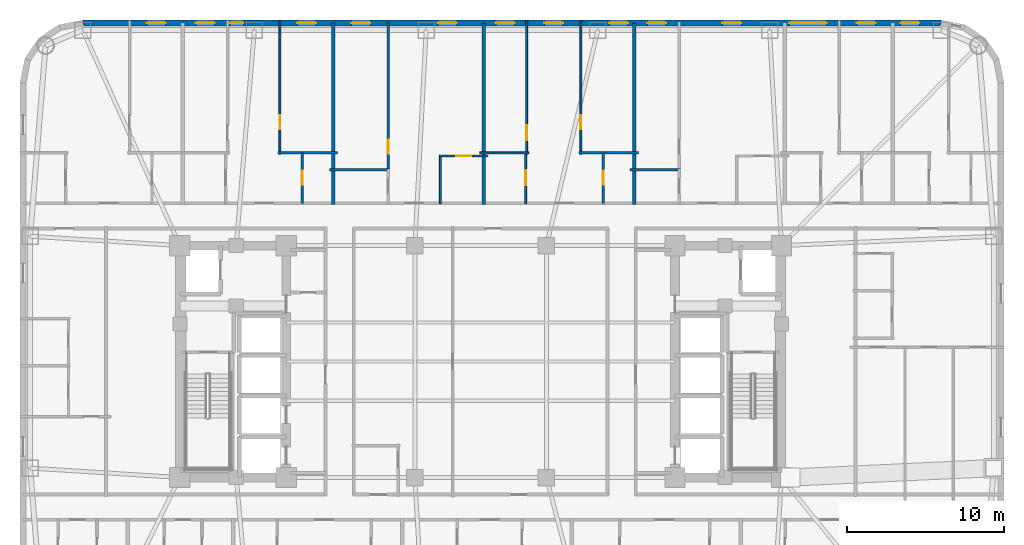
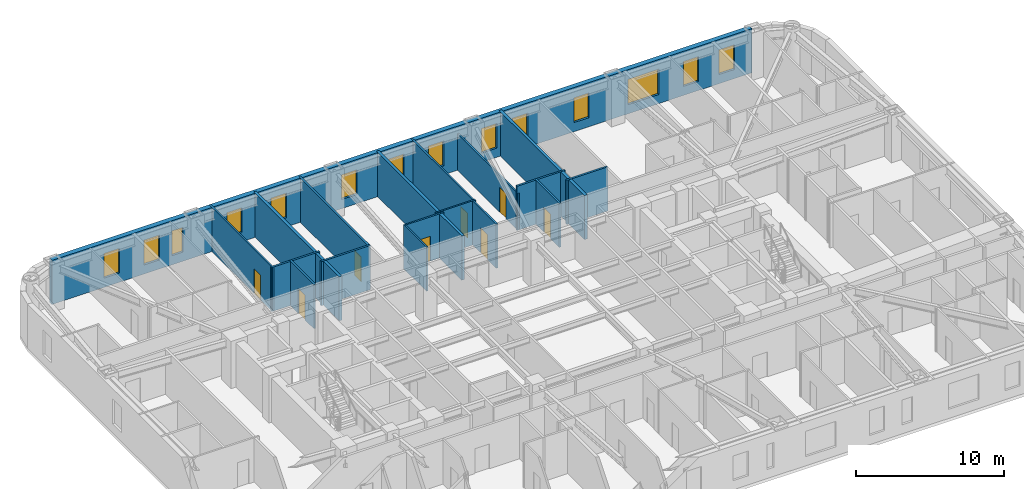
# One storey, part 8 of 11: 18 walls, 14 windows, 8 doors, 22 openings.
"""IFC4 building model written with IfcOpenShell, lengths in metres."""

from ifc_helpers import new_model, si_unit, direction, frame, frame_2d, origin, place, context, subcontext, project, spatial, rectangle, extrude, material, layer, layer_set, type_object, element, fill, save


model = new_model("IFC4")

# Units and contexts
model_context = context("Model", 3, precision=1e-05, world=origin(), true_north=direction((0.0, 1.0)))
body_context = subcontext(model_context, "Body", "Model", "MODEL_VIEW")
ifc_project = project(units=[si_unit("LENGTHUNIT", "METRE"), si_unit("AREAUNIT", "SQUARE_METRE"), si_unit("VOLUMEUNIT", "CUBIC_METRE"), si_unit("PLANEANGLEUNIT", "RADIAN"), si_unit("MASSUNIT", "GRAM", prefix="KILO")], contexts=[model_context])

# Site, building, storey
site_placement = place(None, origin())
site = spatial("IfcSite", under=ifc_project, at=site_placement, CompositionType="ELEMENT")
building_placement = place(site_placement, origin())
building = spatial("IfcBuilding", under=site, at=building_placement, Name="Voryun Gate Residences", CompositionType="ELEMENT")
storey_placement = place(building_placement, frame((0.0, 0.0, 105.300048828125)))
storey = spatial("IfcBuildingStorey", under=building, at=storey_placement, Name="L25", CompositionType="ELEMENT", Elevation=105.300048828125)

# Wall, openings, windows
ifc_material_1 = material(Name="Granite masonry", Category="masonry")
ifc_layer_1 = layer(ifc_material_1, 0.3798828125, Name="W_EXT_GRANITE_380")
ifc_layer_set_1 = layer_set([ifc_layer_1], Name="Granite masonry")
wall_type_1 = type_object("IfcWallType", Name="W_EXT_GRANITE_380", PredefinedType="ELEMENTEDWALL", material=ifc_layer_set_1)
wall_1_placement = place(storey_placement, frame((-25.38134765625, 21.610107421875, 0.0), z_axis=(0.0, 0.0, 1.0), x_axis=(1.0, 0.0, 0.0)))
wall_1 = element("IfcWall", 1, at=wall_1_placement, inside=storey, type_object=wall_type_1, Name="Exterior wall WEXT-L25-11", PredefinedType="ELEMENTEDWALL", context=body_context, shape_type="SweptSolid", body=[
    extrude(rectangle(XDim=54.7626953125, YDim=0.3798828125, at=frame_2d((27.38134765625, 0.0))), origin(), (0.0, 0.0, 1.0), 3.64990234375),
])
opening_1_placement = place(wall_1_placement, frame((45.0673828125, 0.0, 0.75)))
opening_1 = element("IfcOpeningElement", 2, at=opening_1_placement, cuts=wall_1, Name="Opening WN2", PredefinedType="OPENING", context=body_context, shape_type="SweptSolid", body=[
    extrude(rectangle(XDim=2.39990234375, YDim=2.10009765625, at=frame_2d((1.199951171875, 1.050048828125))), frame((0.0, 0.199951171875, 0.0), z_axis=(0.0, -1.0, 0.0), x_axis=(1.0, 0.0, 0.0)), (0.0, 0.0, 1.0), 0.39990234375),
])
opening_2_placement = place(wall_1_placement, frame((4.076416015625, 0.0, 0.75)))
opening_2 = element("IfcOpeningElement", 3, at=opening_2_placement, cuts=wall_1, Name="Opening WN6", PredefinedType="OPENING", context=body_context, shape_type="SweptSolid", body=[
    extrude(rectangle(XDim=1.199951171875, YDim=2.050048828125, at=frame_2d((0.60009765625, 1.02490234375))), frame((0.0, 0.199951171875, 0.0), z_axis=(0.0, -1.0, 0.0), x_axis=(1.0, 0.0, 0.0)), (0.0, 0.0, 1.0), 0.39990234375),
])
opening_3_placement = place(wall_1_placement, frame((9.394775390625, 0.0, 0.75)))
opening_3 = element("IfcOpeningElement", 4, at=opening_3_placement, cuts=wall_1, Name="Opening WN9", PredefinedType="OPENING", context=body_context, shape_type="SweptSolid", body=[
    extrude(rectangle(XDim=0.85009765625, YDim=2.050048828125, at=frame_2d((0.425048828125, 1.02490234375))), frame((0.0, 0.199951171875, 0.0), z_axis=(0.0, -1.0, 0.0), x_axis=(1.0, 0.0, 0.0)), (0.0, 0.0, 1.0), 0.39990234375),
])
opening_4_placement = place(wall_1_placement, frame((7.204833984375, 0.0, 0.75)))
opening_4 = element("IfcOpeningElement", 5, at=opening_4_placement, cuts=wall_1, Name="Opening WN6", PredefinedType="OPENING", context=body_context, shape_type="SweptSolid", body=[
    extrude(rectangle(XDim=1.199951171875, YDim=2.050048828125, at=frame_2d((0.60009765625, 1.02490234375))), frame((0.0, 0.199951171875, 0.0), z_axis=(0.0, -1.0, 0.0), x_axis=(1.0, 0.0, 0.0)), (0.0, 0.0, 1.0), 0.39990234375),
])
opening_5_placement = place(wall_1_placement, frame((13.67626953125, 0.0, 0.75)))
opening_5 = element("IfcOpeningElement", 6, at=opening_5_placement, cuts=wall_1, Name="Opening WN6", PredefinedType="OPENING", context=body_context, shape_type="SweptSolid", body=[
    extrude(rectangle(XDim=1.199951171875, YDim=2.050048828125, at=frame_2d((0.60009765625, 1.02490234375))), frame((0.0, 0.199951171875, 0.0), z_axis=(0.0, -1.0, 0.0), x_axis=(1.0, 0.0, 0.0)), (0.0, 0.0, 1.0), 0.39990234375),
])
opening_6_placement = place(wall_1_placement, frame((17.13623046875, 0.0, 0.75)))
opening_6 = element("IfcOpeningElement", 7, at=opening_6_placement, cuts=wall_1, Name="Opening WN6", PredefinedType="OPENING", context=body_context, shape_type="SweptSolid", body=[
    extrude(rectangle(XDim=1.199951171875, YDim=2.050048828125, at=frame_2d((0.60009765625, 1.02490234375))), frame((0.0, 0.199951171875, 0.0), z_axis=(0.0, -1.0, 0.0), x_axis=(1.0, 0.0, 0.0)), (0.0, 0.0, 1.0), 0.39990234375),
])
opening_7_placement = place(wall_1_placement, frame((22.65625, 0.0, 0.75)))
opening_7 = element("IfcOpeningElement", 8, at=opening_7_placement, cuts=wall_1, Name="Opening WN6", PredefinedType="OPENING", context=body_context, shape_type="SweptSolid", body=[
    extrude(rectangle(XDim=1.199951171875, YDim=2.050048828125, at=frame_2d((0.60009765625, 1.02490234375))), frame((0.0, 0.199951171875, 0.0), z_axis=(0.0, -1.0, 0.0), x_axis=(1.0, 0.0, 0.0)), (0.0, 0.0, 1.0), 0.39990234375),
])
opening_8_placement = place(wall_1_placement, frame((29.44287109375, 0.0, 0.75)))
opening_8 = element("IfcOpeningElement", 9, at=opening_8_placement, cuts=wall_1, Name="Opening WN6", PredefinedType="OPENING", context=body_context, shape_type="SweptSolid", body=[
    extrude(rectangle(XDim=1.199951171875, YDim=2.050048828125, at=frame_2d((0.60009765625, 1.02490234375))), frame((0.0, 0.199951171875, 0.0), z_axis=(0.0, -1.0, 0.0), x_axis=(1.0, 0.0, 0.0)), (0.0, 0.0, 1.0), 0.39990234375),
])
opening_9_placement = place(wall_1_placement, frame((26.347900390625, 0.0, 0.75)))
opening_9 = element("IfcOpeningElement", 10, at=opening_9_placement, cuts=wall_1, Name="Opening WN6", PredefinedType="OPENING", context=body_context, shape_type="SweptSolid", body=[
    extrude(rectangle(XDim=1.199951171875, YDim=2.050048828125, at=frame_2d((0.60009765625, 1.02490234375))), frame((0.0, 0.199951171875, 0.0), z_axis=(0.0, -1.0, 0.0), x_axis=(1.0, 0.0, 0.0)), (0.0, 0.0, 1.0), 0.39990234375),
])
opening_10_placement = place(wall_1_placement, frame((33.59619140625, 0.0, 0.75)))
opening_10 = element("IfcOpeningElement", 11, at=opening_10_placement, cuts=wall_1, Name="Opening WN6", PredefinedType="OPENING", context=body_context, shape_type="SweptSolid", body=[
    extrude(rectangle(XDim=1.199951171875, YDim=2.050048828125, at=frame_2d((0.60009765625, 1.02490234375))), frame((0.0, 0.199951171875, 0.0), z_axis=(0.0, -1.0, 0.0), x_axis=(1.0, 0.0, 0.0)), (0.0, 0.0, 1.0), 0.39990234375),
])
opening_11_placement = place(wall_1_placement, frame((36.014404296875, 0.0, 0.75)))
opening_11 = element("IfcOpeningElement", 12, at=opening_11_placement, cuts=wall_1, Name="Opening WN6", PredefinedType="OPENING", context=body_context, shape_type="SweptSolid", body=[
    extrude(rectangle(XDim=1.199951171875, YDim=2.050048828125, at=frame_2d((0.60009765625, 1.02490234375))), frame((0.0, 0.199951171875, 0.0), z_axis=(0.0, -1.0, 0.0), x_axis=(1.0, 0.0, 0.0)), (0.0, 0.0, 1.0), 0.39990234375),
])
opening_12_placement = place(wall_1_placement, frame((40.814208984375, 0.0, 0.75)))
opening_12 = element("IfcOpeningElement", 13, at=opening_12_placement, cuts=wall_1, Name="Opening WN6", PredefinedType="OPENING", context=body_context, shape_type="SweptSolid", body=[
    extrude(rectangle(XDim=1.199951171875, YDim=2.050048828125, at=frame_2d((0.60009765625, 1.02490234375))), frame((0.0, 0.199951171875, 0.0), z_axis=(0.0, -1.0, 0.0), x_axis=(1.0, 0.0, 0.0)), (0.0, 0.0, 1.0), 0.39990234375),
])
opening_13_placement = place(wall_1_placement, frame((49.38525390625, 0.0, 0.75)))
opening_13 = element("IfcOpeningElement", 14, at=opening_13_placement, cuts=wall_1, Name="Opening WN6", PredefinedType="OPENING", context=body_context, shape_type="SweptSolid", body=[
    extrude(rectangle(XDim=1.199951171875, YDim=2.050048828125, at=frame_2d((0.60009765625, 1.02490234375))), frame((0.0, 0.199951171875, 0.0), z_axis=(0.0, -1.0, 0.0), x_axis=(1.0, 0.0, 0.0)), (0.0, 0.0, 1.0), 0.39990234375),
])
opening_14_placement = place(wall_1_placement, frame((52.181396484375, 0.0, 0.75)))
opening_14 = element("IfcOpeningElement", 15, at=opening_14_placement, cuts=wall_1, Name="Opening WN6", PredefinedType="OPENING", context=body_context, shape_type="SweptSolid", body=[
    extrude(rectangle(XDim=1.199951171875, YDim=2.050048828125, at=frame_2d((0.60009765625, 1.02490234375))), frame((0.0, 0.199951171875, 0.0), z_axis=(0.0, -1.0, 0.0), x_axis=(1.0, 0.0, 0.0)), (0.0, 0.0, 1.0), 0.39990234375),
])
ifc_material_2 = material(Name="Laminated low-E glass", Category="glass")
window_type_1 = type_object("IfcWindowType", Name="WN_POD_SLOT_1200", PartitioningType="SINGLE_PANEL", PredefinedType="WINDOW", material=ifc_material_2)
window_1_placement = place(opening_2_placement, origin())
window_1 = element("IfcWindow", 16, at=window_1_placement, inside=storey, type_object=window_type_1, Name="Window WN-L25-DWFIX-02", OverallHeight=2.050048828125, OverallWidth=1.199951171875, PartitioningType="SINGLE_PANEL", PredefinedType="WINDOW", context=body_context, shape_type="SweptSolid", body=[
    extrude(rectangle(XDim=1.199951171875, YDim=2.050048828125, at=frame_2d((0.60009765625, 1.02490234375))), frame((0.0, 0.030029296875, 0.0), z_axis=(0.0, -1.0, 0.0), x_axis=(1.0, 0.0, 0.0)), (0.0, 0.0, 1.0), 0.06005859375),
])
fill(opening_2, window_1)
window_2_placement = place(opening_4_placement, origin())
window_2 = element("IfcWindow", 17, at=window_2_placement, inside=storey, type_object=window_type_1, Name="Window WN-L25-DWFIX-04", OverallHeight=2.050048828125, OverallWidth=1.199951171875, PartitioningType="SINGLE_PANEL", PredefinedType="WINDOW", context=body_context, shape_type="SweptSolid", body=[
    extrude(rectangle(XDim=1.199951171875, YDim=2.050048828125, at=frame_2d((0.60009765625, 1.02490234375))), frame((0.0, 0.030029296875, 0.0), z_axis=(0.0, -1.0, 0.0), x_axis=(1.0, 0.0, 0.0)), (0.0, 0.0, 1.0), 0.06005859375),
])
fill(opening_4, window_2)
window_3_placement = place(opening_5_placement, origin())
window_3 = element("IfcWindow", 18, at=window_3_placement, inside=storey, type_object=window_type_1, Name="Window WN-L25-DWFIX-05", OverallHeight=2.050048828125, OverallWidth=1.199951171875, PartitioningType="SINGLE_PANEL", PredefinedType="WINDOW", context=body_context, shape_type="SweptSolid", body=[
    extrude(rectangle(XDim=1.199951171875, YDim=2.050048828125, at=frame_2d((0.60009765625, 1.02490234375))), frame((0.0, 0.030029296875, 0.0), z_axis=(0.0, -1.0, 0.0), x_axis=(1.0, 0.0, 0.0)), (0.0, 0.0, 1.0), 0.06005859375),
])
fill(opening_5, window_3)
window_4_placement = place(opening_6_placement, origin())
window_4 = element("IfcWindow", 19, at=window_4_placement, inside=storey, type_object=window_type_1, Name="Window WN-L25-DWFIX-06", OverallHeight=2.050048828125, OverallWidth=1.199951171875, PartitioningType="SINGLE_PANEL", PredefinedType="WINDOW", context=body_context, shape_type="SweptSolid", body=[
    extrude(rectangle(XDim=1.199951171875, YDim=2.050048828125, at=frame_2d((0.60009765625, 1.02490234375))), frame((0.0, 0.030029296875, 0.0), z_axis=(0.0, -1.0, 0.0), x_axis=(1.0, 0.0, 0.0)), (0.0, 0.0, 1.0), 0.06005859375),
])
fill(opening_6, window_4)
window_5_placement = place(opening_7_placement, origin())
window_5 = element("IfcWindow", 20, at=window_5_placement, inside=storey, type_object=window_type_1, Name="Window WN-L25-DWFIX-07", OverallHeight=2.050048828125, OverallWidth=1.199951171875, PartitioningType="SINGLE_PANEL", PredefinedType="WINDOW", context=body_context, shape_type="SweptSolid", body=[
    extrude(rectangle(XDim=1.199951171875, YDim=2.050048828125, at=frame_2d((0.60009765625, 1.02490234375))), frame((0.0, 0.030029296875, 0.0), z_axis=(0.0, -1.0, 0.0), x_axis=(1.0, 0.0, 0.0)), (0.0, 0.0, 1.0), 0.06005859375),
])
fill(opening_7, window_5)
window_6_placement = place(opening_8_placement, origin())
window_6 = element("IfcWindow", 21, at=window_6_placement, inside=storey, type_object=window_type_1, Name="Window WN-L25-DWFIX-08", OverallHeight=2.050048828125, OverallWidth=1.199951171875, PartitioningType="SINGLE_PANEL", PredefinedType="WINDOW", context=body_context, shape_type="SweptSolid", body=[
    extrude(rectangle(XDim=1.199951171875, YDim=2.050048828125, at=frame_2d((0.60009765625, 1.02490234375))), frame((0.0, 0.030029296875, 0.0), z_axis=(0.0, -1.0, 0.0), x_axis=(1.0, 0.0, 0.0)), (0.0, 0.0, 1.0), 0.06005859375),
])
fill(opening_8, window_6)
window_7_placement = place(opening_9_placement, origin())
window_7 = element("IfcWindow", 22, at=window_7_placement, inside=storey, type_object=window_type_1, Name="Window WN-L25-DWFIX-09", OverallHeight=2.050048828125, OverallWidth=1.199951171875, PartitioningType="SINGLE_PANEL", PredefinedType="WINDOW", context=body_context, shape_type="SweptSolid", body=[
    extrude(rectangle(XDim=1.199951171875, YDim=2.050048828125, at=frame_2d((0.60009765625, 1.02490234375))), frame((0.0, 0.030029296875, 0.0), z_axis=(0.0, -1.0, 0.0), x_axis=(1.0, 0.0, 0.0)), (0.0, 0.0, 1.0), 0.06005859375),
])
fill(opening_9, window_7)
window_8_placement = place(opening_10_placement, origin())
window_8 = element("IfcWindow", 23, at=window_8_placement, inside=storey, type_object=window_type_1, Name="Window WN-L25-DWFIX-10", OverallHeight=2.050048828125, OverallWidth=1.199951171875, PartitioningType="SINGLE_PANEL", PredefinedType="WINDOW", context=body_context, shape_type="SweptSolid", body=[
    extrude(rectangle(XDim=1.199951171875, YDim=2.050048828125, at=frame_2d((0.60009765625, 1.02490234375))), frame((0.0, 0.030029296875, 0.0), z_axis=(0.0, -1.0, 0.0), x_axis=(1.0, 0.0, 0.0)), (0.0, 0.0, 1.0), 0.06005859375),
])
fill(opening_10, window_8)
window_9_placement = place(opening_11_placement, origin())
window_9 = element("IfcWindow", 24, at=window_9_placement, inside=storey, type_object=window_type_1, Name="Window WN-L25-DWFIX-11", OverallHeight=2.050048828125, OverallWidth=1.199951171875, PartitioningType="SINGLE_PANEL", PredefinedType="WINDOW", context=body_context, shape_type="SweptSolid", body=[
    extrude(rectangle(XDim=1.199951171875, YDim=2.050048828125, at=frame_2d((0.60009765625, 1.02490234375))), frame((0.0, 0.030029296875, 0.0), z_axis=(0.0, -1.0, 0.0), x_axis=(1.0, 0.0, 0.0)), (0.0, 0.0, 1.0), 0.06005859375),
])
fill(opening_11, window_9)
window_10_placement = place(opening_12_placement, origin())
window_10 = element("IfcWindow", 25, at=window_10_placement, inside=storey, type_object=window_type_1, Name="Window WN-L25-DWFIX-12", OverallHeight=2.050048828125, OverallWidth=1.199951171875, PartitioningType="SINGLE_PANEL", PredefinedType="WINDOW", context=body_context, shape_type="SweptSolid", body=[
    extrude(rectangle(XDim=1.199951171875, YDim=2.050048828125, at=frame_2d((0.60009765625, 1.02490234375))), frame((0.0, 0.030029296875, 0.0), z_axis=(0.0, -1.0, 0.0), x_axis=(1.0, 0.0, 0.0)), (0.0, 0.0, 1.0), 0.06005859375),
])
fill(opening_12, window_10)
window_11_placement = place(opening_13_placement, origin())
window_11 = element("IfcWindow", 26, at=window_11_placement, inside=storey, type_object=window_type_1, Name="Window WN-L25-DWFIX-13", OverallHeight=2.050048828125, OverallWidth=1.199951171875, PartitioningType="SINGLE_PANEL", PredefinedType="WINDOW", context=body_context, shape_type="SweptSolid", body=[
    extrude(rectangle(XDim=1.199951171875, YDim=2.050048828125, at=frame_2d((0.60009765625, 1.02490234375))), frame((0.0, 0.030029296875, 0.0), z_axis=(0.0, -1.0, 0.0), x_axis=(1.0, 0.0, 0.0)), (0.0, 0.0, 1.0), 0.06005859375),
])
fill(opening_13, window_11)
window_12_placement = place(opening_14_placement, origin())
window_12 = element("IfcWindow", 27, at=window_12_placement, inside=storey, type_object=window_type_1, Name="Window WN-L25-DWFIX-14", OverallHeight=2.050048828125, OverallWidth=1.199951171875, PartitioningType="SINGLE_PANEL", PredefinedType="WINDOW", context=body_context, shape_type="SweptSolid", body=[
    extrude(rectangle(XDim=1.199951171875, YDim=2.050048828125, at=frame_2d((0.60009765625, 1.02490234375))), frame((0.0, 0.030029296875, 0.0), z_axis=(0.0, -1.0, 0.0), x_axis=(1.0, 0.0, 0.0)), (0.0, 0.0, 1.0), 0.06005859375),
])
fill(opening_14, window_12)
ifc_material_3 = material(Name="Laminated low-E glass", Category="glass")
window_type_2 = type_object("IfcWindowType", Name="WN_RES_CASEMENT_850", PartitioningType="SINGLE_PANEL", PredefinedType="WINDOW", material=ifc_material_3)
window_13_placement = place(opening_3_placement, origin())
window_13 = element("IfcWindow", 28, at=window_13_placement, inside=storey, type_object=window_type_2, Name="Window WN-L25-DWFIX-03", OverallHeight=2.050048828125, OverallWidth=0.85009765625, PartitioningType="SINGLE_PANEL", PredefinedType="WINDOW", context=body_context, shape_type="SweptSolid", body=[
    extrude(rectangle(XDim=0.85009765625, YDim=2.050048828125, at=frame_2d((0.425048828125, 1.02490234375))), frame((0.0, 0.030029296875, 0.0), z_axis=(0.0, -1.0, 0.0), x_axis=(1.0, 0.0, 0.0)), (0.0, 0.0, 1.0), 0.06005859375),
])
fill(opening_3, window_13)
ifc_material_4 = material(Name="Laminated low-E glass", Category="glass")
window_type_3 = type_object("IfcWindowType", Name="WN_RES_WIDE_2400", PartitioningType="SINGLE_PANEL", PredefinedType="WINDOW", material=ifc_material_4)
window_14_placement = place(opening_1_placement, origin())
window_14 = element("IfcWindow", 29, at=window_14_placement, inside=storey, type_object=window_type_3, Name="Window WN-WEXT-L25-11-04", OverallHeight=2.10009765625, OverallWidth=2.39990234375, PartitioningType="SINGLE_PANEL", PredefinedType="WINDOW", context=body_context, shape_type="SweptSolid", body=[
    extrude(rectangle(XDim=2.39990234375, YDim=2.10009765625, at=frame_2d((1.199951171875, 1.050048828125))), frame((0.0, 0.030029296875, 0.0), z_axis=(0.0, -1.0, 0.0), x_axis=(1.0, 0.0, 0.0)), (0.0, 0.0, 1.0), 0.06005859375),
])
fill(opening_1, window_14)

# Walls
ifc_material_5 = material(Name="Concrete C40/50", Category="concrete")
ifc_layer_2 = layer(ifc_material_5, 0.219970703125, Name="W_PARTY_ACOUSTIC_220")
ifc_layer_set_2 = layer_set([ifc_layer_2], Name="Concrete C40/50")
wall_type_2 = type_object("IfcWallType", Name="W_PARTY_ACOUSTIC_220", PredefinedType="PARTITIONING", material=ifc_layer_set_2)
for number, where, z_axis, x_axis, name in (
    (30, (-9.39990234375, 10.02001953125, 0.0), (0.0, 0.0, 1.0), (0.0, 1.0, 0.0), "Partition wall WP-L25-NPTY-2"),
    (31, (0.199951171875, 10.02001953125, 0.0), (0.0, 0.0, 1.0), (0.0, 1.0, 0.0), "Partition wall WP-L25-NPTY-3"),
    (32, (9.800048828125, 10.02001953125, 0.0), (0.0, 0.0, 1.0), (0.0, 1.0, 0.0), "Partition wall WP-L25-NPTY-4"),
):
    element("IfcWall", number, at=place(storey_placement, frame(where, z_axis=z_axis, x_axis=x_axis)), inside=storey, type_object=wall_type_2, Name=name, PredefinedType="PARTITIONING", context=body_context, shape_type="SweptSolid", body=[
        extrude(rectangle(XDim=11.590087890625, YDim=0.219970703125, at=frame_2d((5.794921875, 0.0))), origin(), (0.0, 0.0, 1.0), 3.64990234375),
    ])

# Wall, opening, door
ifc_material_6 = material(Name="Gypsum acoustic partition")
ifc_layer_3 = layer(ifc_material_6, 0.125, Name="W_UNIT_PART_125")
ifc_layer_set_3 = layer_set([ifc_layer_3], Name="Gypsum acoustic partition")
wall_type_3 = type_object("IfcWallType", Name="W_UNIT_PART_125", PredefinedType="PARTITIONING", material=ifc_layer_set_3)
wall_2_placement = place(storey_placement, frame((-12.81005859375, 13.239990234375, 0.0), z_axis=(0.0, 0.0, 1.0), x_axis=(0.0, 1.0, 0.0)))
wall_2 = element("IfcWall", 33, at=wall_2_placement, inside=storey, type_object=wall_type_3, Name="Partition wall WP-L25-N2-OVR", PredefinedType="PARTITIONING", context=body_context, shape_type="SweptSolid", body=[
    extrude(rectangle(XDim=8.52001953125, YDim=0.125, at=frame_2d((4.260009765625, 0.0))), origin(), (0.0, 0.0, 1.0), 3.64990234375),
])
opening_15_placement = place(wall_2_placement, frame((1.5947265625, 0.0, 0.0)))
opening_15 = element("IfcOpeningElement", 34, at=opening_15_placement, cuts=wall_2, Name="Opening D-INT-2", PredefinedType="OPENING", context=body_context, shape_type="SweptSolid", body=[
    extrude(rectangle(XDim=0.89990234375, YDim=2.050048828125, at=frame_2d((0.449951171875, 1.02490234375))), frame((0.0, 0.072509765625, 0.0), z_axis=(0.0, -1.0, 0.0), x_axis=(1.0, 0.0, 0.0)), (0.0, 0.0, 1.0), 0.14501953125),
])
ifc_material_7 = material(Name="Architectural oak veneer")
door_type_1 = type_object("IfcDoorType", Name="DR_INT_BATH_900", OperationType="NOTDEFINED", PredefinedType="DOOR", material=ifc_material_7)
door_1_placement = place(opening_15_placement, origin())
door_1 = element("IfcDoor", 35, at=door_1_placement, inside=storey, type_object=door_type_1, Name="Door DR-L25-N2-DMB", OperationType="SINGLE_SWING_RIGHT", OverallHeight=2.050048828125, OverallWidth=0.89990234375, PredefinedType="DOOR", context=body_context, shape_type="SweptSolid", body=[
    extrude(rectangle(XDim=0.89990234375, YDim=2.050048828125, at=frame_2d((0.449951171875, 1.02490234375))), frame((0.0, 0.02490234375, 0.0), z_axis=(0.0, -1.0, 0.0), x_axis=(1.0, 0.0, 0.0)), (0.0, 0.0, 1.0), 0.050048828125),
])
fill(opening_15, door_1)

wall_3_placement = place(storey_placement, frame((-2.633056640625, 13.1201171875, 0.0), z_axis=(0.0, 0.0, 1.0), x_axis=(1.0, 0.0, 0.0)))
wall_3 = element("IfcWall", 36, at=wall_3_placement, inside=storey, type_object=wall_type_3, Name="Partition wall WP-L25-N3-KHY", PredefinedType="PARTITIONING", context=body_context, shape_type="SweptSolid", body=[
    extrude(rectangle(XDim=3.093017578125, YDim=0.125, at=frame_2d((1.54638671875, 0.0))), origin(), (0.0, 0.0, 1.0), 3.64990234375),
])
opening_16_placement = place(wall_3_placement, frame((1.071533203125, 0.0, 0.0)))
opening_16 = element("IfcOpeningElement", 37, at=opening_16_placement, cuts=wall_3, Name="Opening D-INT-1", PredefinedType="OPENING", context=body_context, shape_type="SweptSolid", body=[
    extrude(rectangle(XDim=0.949951171875, YDim=2.050048828125, at=frame_2d((0.47509765625, 1.02490234375))), frame((0.0, 0.072509765625, 0.0), z_axis=(0.0, -1.0, 0.0), x_axis=(1.0, 0.0, 0.0)), (0.0, 0.0, 1.0), 0.14501953125),
])
ifc_material_8 = material(Name="Architectural oak veneer")
door_type_2 = type_object("IfcDoorType", Name="DR_INT_ROOM_950", OperationType="NOTDEFINED", PredefinedType="DOOR", material=ifc_material_8)
door_2_placement = place(opening_16_placement, origin())
door_2 = element("IfcDoor", 38, at=door_2_placement, inside=storey, type_object=door_type_2, Name="Door DR-L25-N3-DK", OperationType="SINGLE_SWING_LEFT", OverallHeight=2.050048828125, OverallWidth=0.949951171875, PredefinedType="DOOR", context=body_context, shape_type="SweptSolid", body=[
    extrude(rectangle(XDim=0.949951171875, YDim=2.050048828125, at=frame_2d((0.47509765625, 1.02490234375))), frame((0.0, 0.02490234375, 0.0), z_axis=(0.0, -1.0, 0.0), x_axis=(1.0, 0.0, 0.0)), (0.0, 0.0, 1.0), 0.050048828125),
])
fill(opening_16, door_2)

# Wall
wall_4_placement = place(storey_placement, frame((-2.572998046875, 10.080078125, 0.0), z_axis=(0.0, 0.0, 1.0), x_axis=(0.0, 1.0, 0.0)))
element("IfcWall", 39, at=wall_4_placement, inside=storey, type_object=wall_type_3, Name="Partition wall WP-L25-N3-KVX", PredefinedType="PARTITIONING", context=body_context, shape_type="SweptSolid", body=[
    extrude(rectangle(XDim=3.099853515625, YDim=0.125, at=frame_2d((1.5498046875, 0.0))), origin(), (0.0, 0.0, 1.0), 3.64990234375),
])

# Wall, opening, door
wall_5_placement = place(storey_placement, frame((2.93310546875, 13.239990234375, 0.0), z_axis=(0.0, 0.0, 1.0), x_axis=(0.0, 1.0, 0.0)))
wall_5 = element("IfcWall", 40, at=wall_5_placement, inside=storey, type_object=wall_type_3, Name="Partition wall WP-L25-N4-OVL", PredefinedType="PARTITIONING", context=body_context, shape_type="SweptSolid", body=[
    extrude(rectangle(XDim=8.52001953125, YDim=0.125, at=frame_2d((4.260009765625, 0.0))), origin(), (0.0, 0.0, 1.0), 3.64990234375),
])
opening_17_placement = place(wall_5_placement, frame((0.88818359375, 0.0, 0.0)))
opening_17 = element("IfcOpeningElement", 41, at=opening_17_placement, cuts=wall_5, Name="Opening D-INT-1", PredefinedType="OPENING", context=body_context, shape_type="SweptSolid", body=[
    extrude(rectangle(XDim=0.949951171875, YDim=2.050048828125, at=frame_2d((0.47509765625, 1.02490234375))), frame((0.0, 0.072509765625, 0.0), z_axis=(0.0, -1.0, 0.0), x_axis=(1.0, 0.0, 0.0)), (0.0, 0.0, 1.0), 0.14501953125),
])
door_3_placement = place(opening_17_placement, origin())
door_3 = element("IfcDoor", 42, at=door_3_placement, inside=storey, type_object=door_type_2, Name="Door DR-L25-N4-DB2", OperationType="SINGLE_SWING_LEFT", OverallHeight=2.050048828125, OverallWidth=0.949951171875, PredefinedType="DOOR", context=body_context, shape_type="SweptSolid", body=[
    extrude(rectangle(XDim=0.949951171875, YDim=2.050048828125, at=frame_2d((0.47509765625, 1.02490234375))), frame((0.0, 0.02490234375, 0.0), z_axis=(0.0, -1.0, 0.0), x_axis=(1.0, 0.0, 0.0)), (0.0, 0.0, 1.0), 0.050048828125),
])
fill(opening_17, door_3)

wall_6_placement = place(storey_placement, frame((6.389892578125, 13.239990234375, 0.0), z_axis=(0.0, 0.0, 1.0), x_axis=(0.0, 1.0, 0.0)))
wall_6 = element("IfcWall", 43, at=wall_6_placement, inside=storey, type_object=wall_type_3, Name="Partition wall WP-L25-N4-OVR", PredefinedType="PARTITIONING", context=body_context, shape_type="SweptSolid", body=[
    extrude(rectangle(XDim=8.52001953125, YDim=0.125, at=frame_2d((4.260009765625, 0.0))), origin(), (0.0, 0.0, 1.0), 3.0400390625),
])
opening_18_placement = place(wall_6_placement, frame((1.5947265625, 0.0, 0.0)))
opening_18 = element("IfcOpeningElement", 44, at=opening_18_placement, cuts=wall_6, Name="Opening D-INT-2", PredefinedType="OPENING", context=body_context, shape_type="SweptSolid", body=[
    extrude(rectangle(XDim=0.89990234375, YDim=2.050048828125, at=frame_2d((0.449951171875, 1.02490234375))), frame((0.0, 0.072509765625, 0.0), z_axis=(0.0, -1.0, 0.0), x_axis=(1.0, 0.0, 0.0)), (0.0, 0.0, 1.0), 0.14501953125),
])
door_4_placement = place(opening_18_placement, origin())
door_4 = element("IfcDoor", 45, at=door_4_placement, inside=storey, type_object=door_type_1, Name="Door DR-L25-N4-DMB", OperationType="SINGLE_SWING_RIGHT", OverallHeight=2.050048828125, OverallWidth=0.89990234375, PredefinedType="DOOR", context=body_context, shape_type="SweptSolid", body=[
    extrude(rectangle(XDim=0.89990234375, YDim=2.050048828125, at=frame_2d((0.449951171875, 1.02490234375))), frame((0.0, 0.02490234375, 0.0), z_axis=(0.0, -1.0, 0.0), x_axis=(1.0, 0.0, 0.0)), (0.0, 0.0, 1.0), 0.050048828125),
])
fill(opening_18, door_4)

wall_7_placement = place(storey_placement, frame((2.8759765625, 10.080078125, 0.0), z_axis=(0.0, 0.0, 1.0), x_axis=(0.0, 1.0, 0.0)))
wall_7 = element("IfcWall", 46, at=wall_7_placement, inside=storey, type_object=wall_type_3, Name="Partition wall WP-L25-N4-IVK", PredefinedType="PARTITIONING", context=body_context, shape_type="SweptSolid", body=[
    extrude(rectangle(XDim=3.31982421875, YDim=0.125, at=frame_2d((1.659912109375, 0.0))), origin(), (0.0, 0.0, 1.0), 3.64990234375),
])
opening_19_placement = place(wall_7_placement, frame((1.18505859375, 0.0, 0.0)))
opening_19 = element("IfcOpeningElement", 47, at=opening_19_placement, cuts=wall_7, Name="Opening D-INT-1", PredefinedType="OPENING", context=body_context, shape_type="SweptSolid", body=[
    extrude(rectangle(XDim=0.949951171875, YDim=2.050048828125, at=frame_2d((0.47509765625, 1.02490234375))), frame((0.0, 0.072509765625, 0.0), z_axis=(0.0, -1.0, 0.0), x_axis=(1.0, 0.0, 0.0)), (0.0, 0.0, 1.0), 0.14501953125),
])
door_5_placement = place(opening_19_placement, origin())
door_5 = element("IfcDoor", 48, at=door_5_placement, inside=storey, type_object=door_type_2, Name="Door DR-L25-N4-DK", OperationType="SINGLE_SWING_LEFT", OverallHeight=2.050048828125, OverallWidth=0.949951171875, PredefinedType="DOOR", context=body_context, shape_type="SweptSolid", body=[
    extrude(rectangle(XDim=0.949951171875, YDim=2.050048828125, at=frame_2d((0.47509765625, 1.02490234375))), frame((0.0, 0.02490234375, 0.0), z_axis=(0.0, -1.0, 0.0), x_axis=(1.0, 0.0, 0.0)), (0.0, 0.0, 1.0), 0.050048828125),
])
fill(opening_19, door_5)

# Walls
wall_8_placement = place(storey_placement, frame((-0.06005859375, 13.320068359375, 0.0), z_axis=(0.0, 0.0, 1.0), x_axis=(1.0, 0.0, 0.0)))
element("IfcWall", 49, at=wall_8_placement, inside=storey, type_object=wall_type_3, Name="Partition wall WP-L25-N4-HZK", PredefinedType="PARTITIONING", context=body_context, shape_type="SweptSolid", body=[
    extrude(rectangle(XDim=3.113037109375, YDim=0.125, at=frame_2d((1.556640625, 0.0))), origin(), (0.0, 0.0, 1.0), 3.64990234375),
])
ifc_material_9 = material(Name="Gypsum moisture-resistant partition")
ifc_layer_4 = layer(ifc_material_9, 0.14990234375, Name="W_WET_PLUMB_150")
ifc_layer_set_4 = layer_set([ifc_layer_4], Name="Gypsum moisture-resistant partition")
wall_type_4 = type_object("IfcWallType", Name="W_WET_PLUMB_150", PredefinedType="PLUMBINGWALL", material=ifc_layer_set_4)
wall_9_placement = place(storey_placement, frame((-12.929931640625, 13.320068359375, 0.0), z_axis=(0.0, 0.0, 1.0), x_axis=(1.0, 0.0, 0.0)))
element("IfcWall", 50, at=wall_9_placement, inside=storey, type_object=wall_type_4, Name="Partition wall WP-L25-N2-HZB", PredefinedType="PLUMBINGWALL", context=body_context, shape_type="SweptSolid", body=[
    extrude(rectangle(XDim=3.7900390625, YDim=0.14990234375, at=frame_2d((1.89501953125, 0.0))), origin(), (0.0, 0.0, 1.0), 3.64990234375),
])

# Wall, opening, door
wall_10_placement = place(storey_placement, frame((-11.3798828125, 10.080078125, 0.0), z_axis=(0.0, 0.0, 1.0), x_axis=(0.0, 1.0, 0.0)))
wall_10 = element("IfcWall", 51, at=wall_10_placement, inside=storey, type_object=wall_type_4, Name="Partition wall WP-L25-N2-IVB", PredefinedType="PLUMBINGWALL", context=body_context, shape_type="SweptSolid", body=[
    extrude(rectangle(XDim=3.31982421875, YDim=0.14990234375, at=frame_2d((1.659912109375, 0.0))), origin(), (0.0, 0.0, 1.0), 3.64990234375),
])
opening_20_placement = place(wall_10_placement, frame((1.2099609375, 0.0, 0.0)))
opening_20 = element("IfcOpeningElement", 52, at=opening_20_placement, cuts=wall_10, Name="Opening D-INT-2", PredefinedType="OPENING", context=body_context, shape_type="SweptSolid", body=[
    extrude(rectangle(XDim=0.89990234375, YDim=2.050048828125, at=frame_2d((0.449951171875, 1.02490234375))), frame((0.0, 0.0849609375, 0.0), z_axis=(0.0, -1.0, 0.0), x_axis=(1.0, 0.0, 0.0)), (0.0, 0.0, 1.0), 0.169921875),
])
door_6_placement = place(opening_20_placement, origin())
door_6 = element("IfcDoor", 53, at=door_6_placement, inside=storey, type_object=door_type_1, Name="Door DR-L25-N2-DB", OperationType="SINGLE_SWING_RIGHT", OverallHeight=2.050048828125, OverallWidth=0.89990234375, PredefinedType="DOOR", context=body_context, shape_type="SweptSolid", body=[
    extrude(rectangle(XDim=0.89990234375, YDim=2.050048828125, at=frame_2d((0.449951171875, 1.02490234375))), frame((0.0, 0.02490234375, 0.0), z_axis=(0.0, -1.0, 0.0), x_axis=(1.0, 0.0, 0.0)), (0.0, 0.0, 1.0), 0.050048828125),
])
fill(opening_20, door_6)

# Wall
wall_11_placement = place(storey_placement, frame((-9.659912109375, 12.239990234375, 0.0), z_axis=(0.0, 0.0, 1.0), x_axis=(1.0, 0.0, 0.0)))
element("IfcWall", 54, at=wall_11_placement, inside=storey, type_object=wall_type_4, Name="Partition wall WP-L25-N3-LHY", PredefinedType="PLUMBINGWALL", context=body_context, shape_type="SweptSolid", body=[
    extrude(rectangle(XDim=3.849853515625, YDim=0.14990234375, at=frame_2d((1.9248046875, 0.0))), origin(), (0.0, 0.0, 1.0), 3.64990234375),
])

# Wall, opening, door
wall_12_placement = place(storey_placement, frame((-5.889892578125, 12.199951171875, 0.0), z_axis=(0.0, 0.0, 1.0), x_axis=(0.0, 1.0, 0.0)))
wall_12 = element("IfcWall", 55, at=wall_12_placement, inside=storey, type_object=wall_type_4, Name="Partition wall WP-L25-N3-LVX2", PredefinedType="PLUMBINGWALL", context=body_context, shape_type="SweptSolid", body=[
    extrude(rectangle(XDim=9.457763671875, YDim=0.14990234375, at=frame_2d((4.72900390625, 0.0))), origin(), (0.0, 0.0, 1.0), 3.64990234375),
])
opening_21_placement = place(wall_12_placement, frame((1.063232421875, 0.0, 0.0)))
opening_21 = element("IfcOpeningElement", 56, at=opening_21_placement, cuts=wall_12, Name="Opening D-INT-2", PredefinedType="OPENING", context=body_context, shape_type="SweptSolid", body=[
    extrude(rectangle(XDim=0.89990234375, YDim=2.050048828125, at=frame_2d((0.449951171875, 1.02490234375))), frame((0.0, 0.0849609375, 0.0), z_axis=(0.0, -1.0, 0.0), x_axis=(1.0, 0.0, 0.0)), (0.0, 0.0, 1.0), 0.169921875),
])
door_7_placement = place(opening_21_placement, origin())
door_7 = element("IfcDoor", 57, at=door_7_placement, inside=storey, type_object=door_type_1, Name="Door DR-L25-N3-DMB", OperationType="SINGLE_SWING_RIGHT", OverallHeight=2.050048828125, OverallWidth=0.89990234375, PredefinedType="DOOR", context=body_context, shape_type="SweptSolid", body=[
    extrude(rectangle(XDim=0.89990234375, YDim=2.050048828125, at=frame_2d((0.449951171875, 1.02490234375))), frame((0.0, 0.02490234375, 0.0), z_axis=(0.0, -1.0, 0.0), x_axis=(1.0, 0.0, 0.0)), (0.0, 0.0, 1.0), 0.050048828125),
])
fill(opening_21, door_7)

# Wall
wall_13_placement = place(storey_placement, frame((6.27001953125, 13.320068359375, 0.0), z_axis=(0.0, 0.0, 1.0), x_axis=(1.0, 0.0, 0.0)))
element("IfcWall", 58, at=wall_13_placement, inside=storey, type_object=wall_type_4, Name="Partition wall WP-L25-N4-HZB", PredefinedType="PLUMBINGWALL", context=body_context, shape_type="SweptSolid", body=[
    extrude(rectangle(XDim=3.7900390625, YDim=0.14990234375, at=frame_2d((1.89501953125, 0.0))), origin(), (0.0, 0.0, 1.0), 3.64990234375),
])

# Wall, opening, door
wall_14_placement = place(storey_placement, frame((7.820068359375, 10.080078125, 0.0), z_axis=(0.0, 0.0, 1.0), x_axis=(0.0, 1.0, 0.0)))
wall_14 = element("IfcWall", 59, at=wall_14_placement, inside=storey, type_object=wall_type_4, Name="Partition wall WP-L25-N4-IVB", PredefinedType="PLUMBINGWALL", context=body_context, shape_type="SweptSolid", body=[
    extrude(rectangle(XDim=3.31982421875, YDim=0.14990234375, at=frame_2d((1.659912109375, 0.0))), origin(), (0.0, 0.0, 1.0), 3.64990234375),
])
opening_22_placement = place(wall_14_placement, frame((1.2099609375, 0.0, 0.0)))
opening_22 = element("IfcOpeningElement", 60, at=opening_22_placement, cuts=wall_14, Name="Opening D-INT-2", PredefinedType="OPENING", context=body_context, shape_type="SweptSolid", body=[
    extrude(rectangle(XDim=0.89990234375, YDim=2.050048828125, at=frame_2d((0.449951171875, 1.02490234375))), frame((0.0, 0.0849609375, 0.0), z_axis=(0.0, -1.0, 0.0), x_axis=(1.0, 0.0, 0.0)), (0.0, 0.0, 1.0), 0.169921875),
])
door_8_placement = place(opening_22_placement, origin())
door_8 = element("IfcDoor", 61, at=door_8_placement, inside=storey, type_object=door_type_1, Name="Door DR-L25-N4-DB", OperationType="SINGLE_SWING_RIGHT", OverallHeight=2.050048828125, OverallWidth=0.89990234375, PredefinedType="DOOR", context=body_context, shape_type="SweptSolid", body=[
    extrude(rectangle(XDim=0.89990234375, YDim=2.050048828125, at=frame_2d((0.449951171875, 1.02490234375))), frame((0.0, 0.02490234375, 0.0), z_axis=(0.0, -1.0, 0.0), x_axis=(1.0, 0.0, 0.0)), (0.0, 0.0, 1.0), 0.050048828125),
])
fill(opening_22, door_8)

# Wall
wall_15_placement = place(storey_placement, frame((9.5400390625, 12.239990234375, 0.0), z_axis=(0.0, 0.0, 1.0), x_axis=(1.0, 0.0, 0.0)))
element("IfcWall", 62, at=wall_15_placement, inside=storey, type_object=wall_type_4, Name="Partition wall WP-L25-N5-LHY", PredefinedType="PLUMBINGWALL", context=body_context, shape_type="SweptSolid", body=[
    extrude(rectangle(XDim=3.2060546875, YDim=0.14990234375, at=frame_2d((1.60302734375, 0.0))), origin(), (0.0, 0.0, 1.0), 3.64990234375),
])

save(model, "model.ifc")
